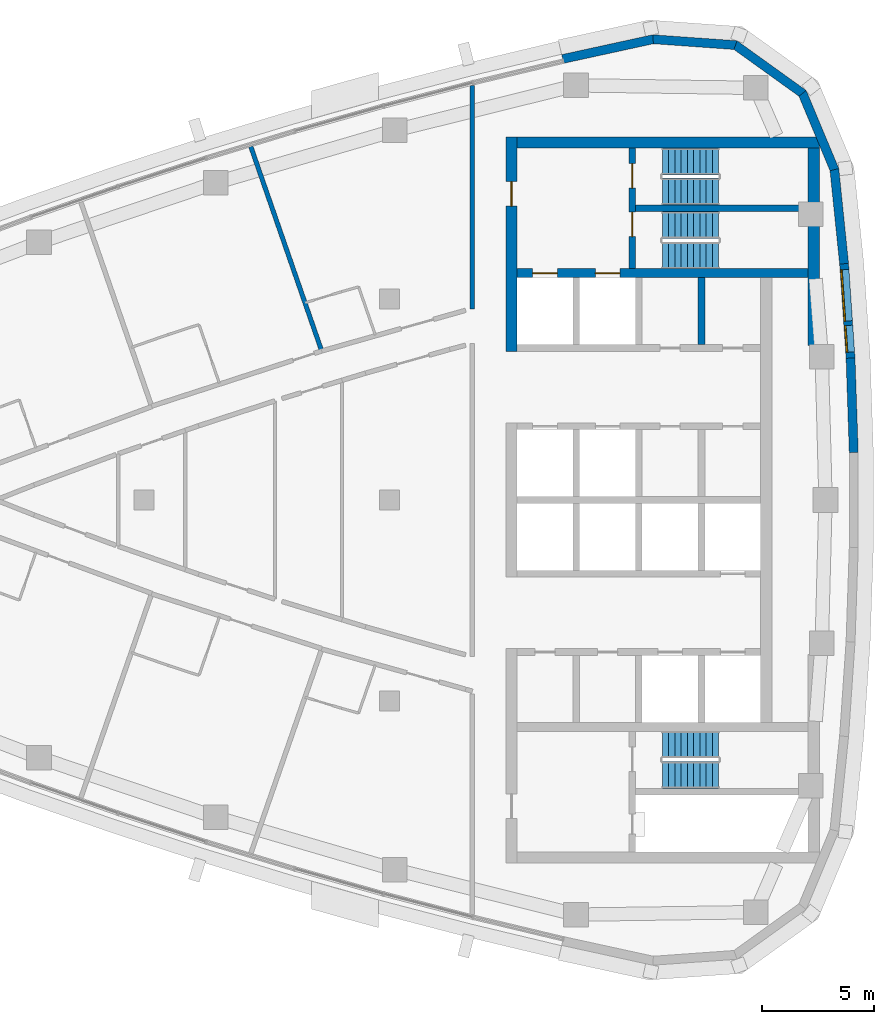
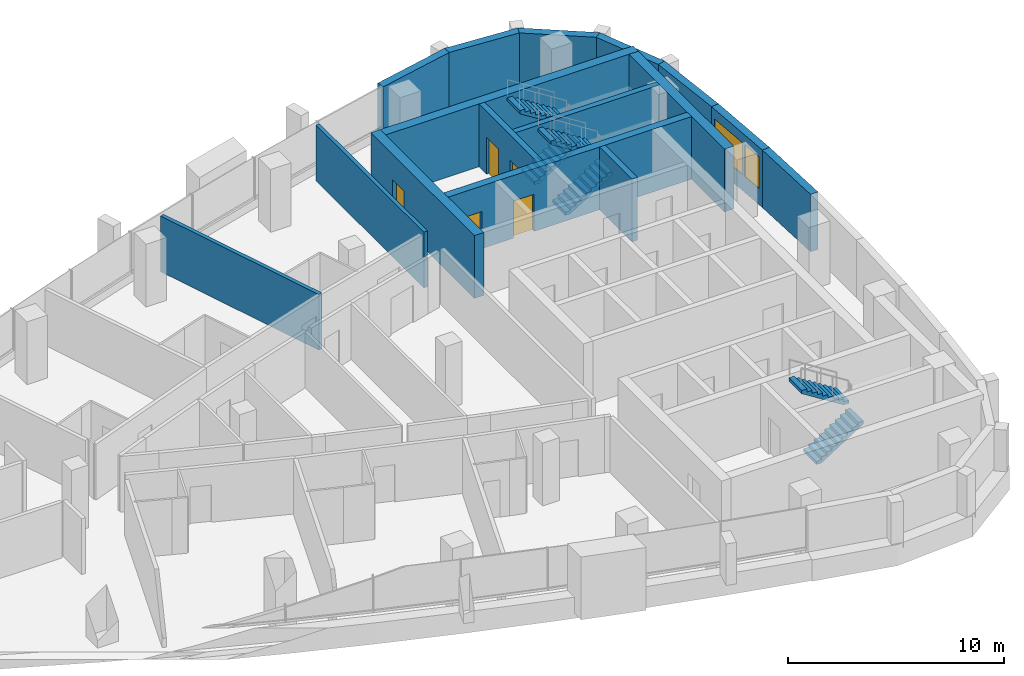
# One storey, part 10 of 14: 16 walls, 6 stair flights, 5 doors, 2 windows, 7 openings, 3 elements without a shape of their own.
"""IFC4 building model written with IfcOpenShell, lengths in metres."""

from ifc_helpers import new_model, si_unit, direction, frame, frame_2d, origin, place, context, subcontext, project, spatial, polyline, rectangle, outline, extrude, material, layer, layer_set, type_object, element, fill, aggregate, save


model = new_model("IFC4")

# Units and contexts
model_context = context("Model", 3, precision=1e-05, world=origin(), true_north=direction((0.0, 1.0)))
body_context = subcontext(model_context, "Body", "Model", "MODEL_VIEW")
ifc_project = project(units=[si_unit("LENGTHUNIT", "METRE"), si_unit("AREAUNIT", "SQUARE_METRE"), si_unit("VOLUMEUNIT", "CUBIC_METRE"), si_unit("PLANEANGLEUNIT", "RADIAN"), si_unit("MASSUNIT", "GRAM", prefix="KILO")], contexts=[model_context])

# Site, building, storey
site_placement = place(None, origin())
site = spatial("IfcSite", under=ifc_project, at=site_placement, CompositionType="ELEMENT")
building_placement = place(site_placement, origin())
building = spatial("IfcBuilding", under=site, at=building_placement, Name="Ostrand Prow Hotel Tower", CompositionType="ELEMENT")
storey_placement = place(building_placement, frame((0.0, 0.0, 299.85009765625)))
storey = spatial("IfcBuildingStorey", under=building, at=storey_placement, Name="L76", CompositionType="ELEMENT", Elevation=299.85009765625)

# Wall
ifc_material_1 = material(Name="Concrete C50/60", Category="concrete")
ifc_layer_1 = layer(ifc_material_1, 0.300048828125)
ifc_layer_set_1 = layer_set([ifc_layer_1], Name="Concrete C50/60")
wall_type_1 = type_object("IfcWallType", Name="Core wall 300 C50/60", PredefinedType="SHEAR", material=ifc_layer_set_1)
wall_1_placement = place(storey_placement, frame((58.949951171875, 6.949951171875, 0.0), z_axis=(0.0, 0.0, 1.0), x_axis=(0.0, 1.0, 0.0)))
element("IfcWall", 1, at=wall_1_placement, inside=storey, type_object=wall_type_1, Name="Core wall PW-R3-NA", PredefinedType="SHEAR", context=body_context, shape_type="SweptSolid", body=[
    extrude(rectangle(XDim=3.0, YDim=0.300048828125, at=frame_2d((1.5, 0.0))), origin(), (0.0, 0.0, 1.0), 3.5498046875),
])

# Wall, openings, doors
wall_2_placement = place(storey_placement, frame((55.85009765625, 10.35009765625, 0.0), z_axis=(0.0, 0.0, 1.0), x_axis=(0.0, 1.0, 0.0)))
wall_2 = element("IfcWall", 2, at=wall_2_placement, inside=storey, type_object=wall_type_1, Name="Core wall PW-VN", PredefinedType="SHEAR", context=body_context, shape_type="SweptSolid", body=[
    extrude(rectangle(XDim=5.39990234375, YDim=0.300048828125, at=frame_2d((2.699951171875, 0.0))), origin(), (0.0, 0.0, 1.0), 3.5498046875),
])
opening_1_placement = place(wall_2_placement, frame((1.429931640625, 0.0, 0.0)))
opening_1 = element("IfcOpeningElement", 3, at=opening_1_placement, cuts=wall_2, Name="Opening FD1", PredefinedType="OPENING", context=body_context, shape_type="SweptSolid", body=[
    extrude(rectangle(XDim=1.10009765625, YDim=2.10009765625, at=frame_2d((0.550048828125, 1.050048828125))), frame((0.0, 0.159912109375, 0.0), z_axis=(0.0, -1.0, 0.0), x_axis=(1.0, 0.0, 0.0)), (0.0, 0.0, 1.0), 0.320068359375),
])
opening_2_placement = place(wall_2_placement, frame((3.60009765625, 0.0, 0.0)))
opening_2 = element("IfcOpeningElement", 4, at=opening_2_placement, cuts=wall_2, Name="Opening FD1", PredefinedType="OPENING", context=body_context, shape_type="SweptSolid", body=[
    extrude(rectangle(XDim=1.10009765625, YDim=2.10009765625, at=frame_2d((0.550048828125, 1.050048828125))), frame((0.0, 0.159912109375, 0.0), z_axis=(0.0, -1.0, 0.0), x_axis=(1.0, 0.0, 0.0)), (0.0, 0.0, 1.0), 0.320068359375),
])
ifc_material_2 = material(Name="Steel fire door", Category="steel")
door_type_1 = type_object("IfcDoorType", Name="Fire door 1100 EI120", OperationType="SINGLE_SWING_RIGHT", PredefinedType="DOOR", material=ifc_material_2)
door_1_placement = place(opening_1_placement, origin())
door_1 = element("IfcDoor", 5, at=door_1_placement, inside=storey, type_object=door_type_1, Name="FIRE DOOR", OperationType="SINGLE_SWING_RIGHT", OverallHeight=2.10009765625, OverallWidth=1.10009765625, PredefinedType="DOOR", context=body_context, shape_type="SweptSolid", body=[
    extrude(rectangle(XDim=1.10009765625, YDim=2.10009765625, at=frame_2d((0.550048828125, 1.050048828125))), frame((0.0, 0.02490234375, 0.0), z_axis=(0.0, -1.0, 0.0), x_axis=(1.0, 0.0, 0.0)), (0.0, 0.0, 1.0), 0.050048828125),
])
fill(opening_1, door_1)
door_2_placement = place(opening_2_placement, origin())
door_2 = element("IfcDoor", 6, at=door_2_placement, inside=storey, type_object=door_type_1, Name="FIRE DOOR", OperationType="SINGLE_SWING_RIGHT", OverallHeight=2.10009765625, OverallWidth=1.10009765625, PredefinedType="DOOR", context=body_context, shape_type="SweptSolid", body=[
    extrude(rectangle(XDim=1.10009765625, YDim=2.10009765625, at=frame_2d((0.550048828125, 1.050048828125))), frame((0.0, 0.02490234375, 0.0), z_axis=(0.0, -1.0, 0.0), x_axis=(1.0, 0.0, 0.0)), (0.0, 0.0, 1.0), 0.050048828125),
])
fill(opening_2, door_2)

# Wall
wall_3_placement = place(storey_placement, frame((56.0, 13.050048828125, 0.0), z_axis=(0.0, 0.0, 1.0), x_axis=(1.0, 0.0, 0.0)))
element("IfcWall", 7, at=wall_3_placement, inside=storey, type_object=wall_type_1, Name="Core wall PW-ST13", PredefinedType="SHEAR", context=body_context, shape_type="SweptSolid", body=[
    extrude(rectangle(XDim=7.719970703125, YDim=0.300048828125, at=frame_2d((3.85986328125, 0.0))), origin(), (0.0, 0.0, 1.0), 3.5498046875),
])

# Wall, openings, doors
ifc_material_3 = material(Name="Concrete C50/60", Category="concrete")
ifc_layer_2 = layer(ifc_material_3, 0.39990234375)
ifc_layer_set_2 = layer_set([ifc_layer_2], Name="Concrete C50/60")
wall_type_2 = type_object("IfcWallType", Name="Core wall 400 C50/60", PredefinedType="SHEAR", material=ifc_layer_set_2)
wall_4_placement = place(storey_placement, frame((50.699951171875, 10.14990234375, 0.0), z_axis=(0.0, 0.0, 1.0), x_axis=(1.0, 0.0, 0.0)))
wall_4 = element("IfcWall", 8, at=wall_4_placement, inside=storey, type_object=wall_type_2, Name="Core wall PW-BN", PredefinedType="SHEAR", context=body_context, shape_type="SweptSolid", body=[
    extrude(rectangle(XDim=13.02001953125, YDim=0.39990234375, at=frame_2d((6.510009765625, 0.0))), origin(), (0.0, 0.0, 1.0), 3.5498046875),
])
opening_3_placement = place(wall_4_placement, frame((0.699951171875, 0.0, 0.0)))
opening_3 = element("IfcOpeningElement", 9, at=opening_3_placement, cuts=wall_4, Name="Opening LD", PredefinedType="OPENING", context=body_context, shape_type="SweptSolid", body=[
    extrude(rectangle(XDim=1.10009765625, YDim=2.10009765625, at=frame_2d((0.550048828125, 1.050048828125))), frame((0.0, 0.2099609375, 0.0), z_axis=(0.0, -1.0, 0.0), x_axis=(1.0, 0.0, 0.0)), (0.0, 0.0, 1.0), 0.419921875),
])
opening_4_placement = place(wall_4_placement, frame((3.5, 0.0, 0.0)))
opening_4 = element("IfcOpeningElement", 10, at=opening_4_placement, cuts=wall_4, Name="Opening LD", PredefinedType="OPENING", context=body_context, shape_type="SweptSolid", body=[
    extrude(rectangle(XDim=1.10009765625, YDim=2.10009765625, at=frame_2d((0.550048828125, 1.050048828125))), frame((0.0, 0.2099609375, 0.0), z_axis=(0.0, -1.0, 0.0), x_axis=(1.0, 0.0, 0.0)), (0.0, 0.0, 1.0), 0.419921875),
])
ifc_material_4 = material(Name="Stainless steel door", Category="steel")
door_type_2 = type_object("IfcDoorType", Name="Lift landing door 1100", OperationType="DOUBLE_DOOR_SLIDING", PredefinedType="DOOR", material=ifc_material_4)
door_3_placement = place(opening_3_placement, origin())
door_3 = element("IfcDoor", 11, at=door_3_placement, inside=storey, type_object=door_type_2, Name="LIFT LANDING DOOR", OperationType="DOUBLE_DOOR_SLIDING", OverallHeight=2.10009765625, OverallWidth=1.10009765625, PredefinedType="DOOR", context=body_context, shape_type="SweptSolid", body=[
    extrude(rectangle(XDim=1.10009765625, YDim=2.10009765625, at=frame_2d((0.550048828125, 1.050048828125))), frame((0.0, 0.02490234375, 0.0), z_axis=(0.0, -1.0, 0.0), x_axis=(1.0, 0.0, 0.0)), (0.0, 0.0, 1.0), 0.050048828125),
])
fill(opening_3, door_3)
door_4_placement = place(opening_4_placement, origin())
door_4 = element("IfcDoor", 12, at=door_4_placement, inside=storey, type_object=door_type_2, Name="LIFT LANDING DOOR", OperationType="DOUBLE_DOOR_SLIDING", OverallHeight=2.10009765625, OverallWidth=1.10009765625, PredefinedType="DOOR", context=body_context, shape_type="SweptSolid", body=[
    extrude(rectangle(XDim=1.10009765625, YDim=2.10009765625, at=frame_2d((0.550048828125, 1.050048828125))), frame((0.0, 0.02490234375, 0.0), z_axis=(0.0, -1.0, 0.0), x_axis=(1.0, 0.0, 0.0)), (0.0, 0.0, 1.0), 0.050048828125),
])
fill(opening_4, door_4)

# Wall, opening, door
ifc_material_5 = material(Name="Concrete C50/60", Category="concrete")
ifc_layer_3 = layer(ifc_material_5, 0.5)
ifc_layer_set_3 = layer_set([ifc_layer_3], Name="Concrete C50/60")
wall_type_3 = type_object("IfcWallType", Name="Core wall 500 C50/60", PredefinedType="SHEAR", material=ifc_layer_set_3)
wall_5_placement = place(storey_placement, frame((50.449951171875, 6.64990234375, 0.0), z_axis=(0.0, 0.0, 1.0), x_axis=(0.0, 1.0, 0.0)))
wall_5 = element("IfcWall", 13, at=wall_5_placement, inside=storey, type_object=wall_type_3, Name="Core wall CW-W-N", PredefinedType="SHEAR", context=body_context, shape_type="SweptSolid", body=[
    extrude(rectangle(XDim=9.60009765625, YDim=0.5, at=frame_2d((4.800048828125, 0.0))), origin(), (0.0, 0.0, 1.0), 3.5498046875),
])
opening_5_placement = place(wall_5_placement, frame((6.5, 0.0, 0.0)))
opening_5 = element("IfcOpeningElement", 14, at=opening_5_placement, cuts=wall_5, Name="Opening FD1", PredefinedType="OPENING", context=body_context, shape_type="SweptSolid", body=[
    extrude(rectangle(XDim=1.10009765625, YDim=2.10009765625, at=frame_2d((0.550048828125, 1.050048828125))), frame((0.0, 0.260009765625, 0.0), z_axis=(0.0, -1.0, 0.0), x_axis=(1.0, 0.0, 0.0)), (0.0, 0.0, 1.0), 0.52001953125),
])
door_5_placement = place(opening_5_placement, origin())
door_5 = element("IfcDoor", 15, at=door_5_placement, inside=storey, type_object=door_type_1, Name="FIRE DOOR", OperationType="SINGLE_SWING_RIGHT", OverallHeight=2.10009765625, OverallWidth=1.10009765625, PredefinedType="DOOR", context=body_context, shape_type="SweptSolid", body=[
    extrude(rectangle(XDim=1.10009765625, YDim=2.10009765625, at=frame_2d((0.550048828125, 1.050048828125))), frame((0.0, 0.02490234375, 0.0), z_axis=(0.0, -1.0, 0.0), x_axis=(1.0, 0.0, 0.0)), (0.0, 0.0, 1.0), 0.050048828125),
])
fill(opening_5, door_5)

# Walls
wall_6_placement = place(storey_placement, frame((50.699951171875, 16.0, 0.0), z_axis=(0.0, 0.0, 1.0), x_axis=(1.0, 0.0, 0.0)))
element("IfcWall", 16, at=wall_6_placement, inside=storey, type_object=wall_type_3, Name="Core wall CW-N", PredefinedType="SHEAR", context=body_context, shape_type="SweptSolid", body=[
    extrude(rectangle(XDim=13.52001953125, YDim=0.5, at=frame_2d((6.760009765625, 0.0))), origin(), (0.0, 0.0, 1.0), 3.5498046875),
])
wall_7_placement = place(storey_placement, frame((63.969970703125, 6.9033203125, 0.0), z_axis=(0.0, 0.0, 1.0), x_axis=(0.0, 1.0, 0.0)))
element("IfcWall", 17, at=wall_7_placement, inside=storey, type_object=wall_type_3, Name="Core wall CW-E-N", PredefinedType="SHEAR", context=body_context, shape_type="SweptSolid", body=[
    extrude(rectangle(XDim=8.8466796875, YDim=0.5, at=frame_2d((4.42333984375, 0.0))), origin(), (0.0, 0.0, 1.0), 3.5498046875),
])
ifc_material_6 = material(Name="Plasterboard partition")
ifc_layer_4 = layer(ifc_material_6, 0.199951171875)
ifc_layer_set_4 = layer_set([ifc_layer_4], Name="Plasterboard partition")
wall_type_4 = type_object("IfcWallType", Name="Partition 200 corridor wall", PredefinedType="PARTITIONING", material=ifc_layer_set_4)
wall_8_placement = place(storey_placement, frame((48.695068359375, 18.552978515625, 0.0), z_axis=(0.0, 0.0, 1.0), x_axis=(0.0, -1.0, 0.0)))
element("IfcWall", 18, at=wall_8_placement, inside=storey, type_object=wall_type_4, Name="CORRIDOR WALL", PredefinedType="PARTITIONING", context=body_context, shape_type="SweptSolid", body=[
    extrude(rectangle(XDim=9.99658203125, YDim=0.199951171875, at=frame_2d((4.998291015625, 0.0))), origin(), (0.0, 0.0, 1.0), 3.14990234375),
])
ifc_material_7 = material(Name="Plasterboard partition")
ifc_layer_5 = layer(ifc_material_7, 0.199951171875)
ifc_layer_set_5 = layer_set([ifc_layer_5], Name="Plasterboard partition")
wall_type_5 = type_object("IfcWallType", Name="Partition 200 key partition", PredefinedType="PARTITIONING", material=ifc_layer_set_5)
wall_9_placement = place(storey_placement, frame((41.965087890625, 6.6484375, 0.0), z_axis=(0.0, 0.0, 1.0), x_axis=(-0.327710853631, 0.944778067279, 0.0)))
element("IfcWall", 19, at=wall_9_placement, inside=storey, type_object=wall_type_5, Name="KEY PARTITION", PredefinedType="PARTITIONING", context=body_context, shape_type="SweptSolid", body=[
    extrude(rectangle(XDim=9.707275390625, YDim=0.199951171875, at=frame_2d((4.853515625, 0.0))), origin(), (0.0, 0.0, 1.0), 3.14990234375),
])
ifc_material_8 = material(Name="Precast concrete C40/50", Category="concrete")
ifc_layer_6 = layer(ifc_material_8, 0.39990234375)
ifc_layer_set_6 = layer_set([ifc_layer_6], Name="Precast concrete C40/50")
wall_type_6 = type_object("IfcWallType", Name="Stone-faced precast wall 400 mm", PredefinedType="NOTDEFINED", material=ifc_layer_set_6)
wall_10_placement = place(storey_placement, frame((65.764404296875, 2.11669921875, 0.0), z_axis=(0.0, 0.0, 1.0), x_axis=(-0.034082898699, 0.999419009233, 0.0)))
element("IfcWall", 20, at=wall_10_placement, inside=storey, type_object=wall_type_6, Name="Stone-faced wall back 9", PredefinedType="NOTDEFINED", context=body_context, shape_type="SweptSolid", body=[
    extrude(outline(polyline([(-0.00341796875, -0.199951171875), (4.23681640625, -0.199951171875), (4.22998046875, 0.199951171875), (0.00341796875, 0.199951171875), (-0.00341796875, -0.199951171875)])), origin(), (0.0, 0.0, 1.0), 3.25),
])

# Wall, openings, windows
wall_11_placement = place(storey_placement, frame((65.6201171875, 6.34765625, 0.0), z_axis=(0.0, 0.0, 1.0), x_axis=(-0.068279584479, 0.997666225921, 0.0)))
wall_11 = element("IfcWall", 21, at=wall_11_placement, inside=storey, type_object=wall_type_6, Name="Stone-faced wall back 10", PredefinedType="NOTDEFINED", context=body_context, shape_type="SweptSolid", body=[
    extrude(outline(polyline([(-0.00341796875, -0.199951171875), (4.23681640625, -0.199951171875), (4.22998046875, 0.199951171875), (0.00341796875, 0.199951171875), (-0.00341796875, -0.199951171875)])), origin(), (0.0, 0.0, 1.0), 3.25),
])
opening_6_placement = place(wall_11_placement, frame((0.2666015625, 0.0, 0.89990234375)))
opening_6 = element("IfcOpeningElement", 22, at=opening_6_placement, cuts=wall_11, Name="Opening WS4", PredefinedType="OPENING", context=body_context, shape_type="SweptSolid", body=[
    extrude(rectangle(XDim=1.199951171875, YDim=1.800048828125, at=frame_2d((0.60009765625, 0.89990234375))), frame((0.0, 0.2099609375, 0.0), z_axis=(0.0, -1.0, 0.0), x_axis=(1.0, 0.0, 0.0)), (0.0, 0.0, 1.0), 0.419921875),
])
opening_7_placement = place(wall_11_placement, frame((1.666748046875, 0.0, 0.89990234375)))
opening_7 = element("IfcOpeningElement", 23, at=opening_7_placement, cuts=wall_11, Name="Opening WS5-23", PredefinedType="OPENING", context=body_context, shape_type="SweptSolid", body=[
    extrude(rectangle(XDim=2.300048828125, YDim=1.800048828125, at=frame_2d((1.14990234375, 0.89990234375))), frame((0.0, 0.2099609375, 0.0), z_axis=(0.0, -1.0, 0.0), x_axis=(1.0, 0.0, 0.0)), (0.0, 0.0, 1.0), 0.419921875),
])
ifc_material_9 = material(Name="Insulated glass in bronze frame", Category="glass")
window_type_1 = type_object("IfcWindowType", Name="Fixed strip window 2300x1800", PartitioningType="SINGLE_PANEL", PredefinedType="WINDOW", material=ifc_material_9)
window_1_placement = place(opening_7_placement, origin())
window_1 = element("IfcWindow", 24, at=window_1_placement, inside=storey, type_object=window_type_1, Name="Window back 10.2", OverallHeight=1.800048828125, OverallWidth=2.300048828125, PartitioningType="SINGLE_PANEL", PredefinedType="WINDOW", context=body_context, shape_type="SweptSolid", body=[
    extrude(rectangle(XDim=2.300048828125, YDim=1.800048828125, at=frame_2d((1.14990234375, 0.89990234375))), frame((0.0, 0.169921875, 0.0), z_axis=(0.0, -1.0, 0.0), x_axis=(1.0, 0.0, 0.0)), (0.0, 0.0, 1.0), 0.06005859375),
])
fill(opening_7, window_1)
ifc_material_10 = material(Name="Insulated glass in bronze frame", Category="glass")
window_type_2 = type_object("IfcWindowType", Name="Operable strip panel 1200x1800", PartitioningType="SINGLE_PANEL", PredefinedType="WINDOW", material=ifc_material_10)
window_2_placement = place(opening_6_placement, origin())
window_2 = element("IfcWindow", 25, at=window_2_placement, inside=storey, type_object=window_type_2, Name="Window back 10.1", OverallHeight=1.800048828125, OverallWidth=1.199951171875, PartitioningType="SINGLE_PANEL", PredefinedType="WINDOW", context=body_context, shape_type="SweptSolid", body=[
    extrude(rectangle(XDim=1.199951171875, YDim=1.800048828125, at=frame_2d((0.60009765625, 0.89990234375))), frame((0.0, 0.169921875, 0.0), z_axis=(0.0, -1.0, 0.0), x_axis=(1.0, 0.0, 0.0)), (0.0, 0.0, 1.0), 0.06005859375),
])
fill(opening_6, window_2)

# Walls
wall_12_placement = place(storey_placement, frame((65.3310546875, 10.5712890625, 0.0), z_axis=(0.0, 0.0, 1.0), x_axis=(-0.102249826987, 0.994758751096, 0.0)))
element("IfcWall", 26, at=wall_12_placement, inside=storey, type_object=wall_type_6, Name="Stone-faced wall back 11", PredefinedType="NOTDEFINED", context=body_context, shape_type="SweptSolid", body=[
    extrude(outline(polyline([(-0.00341796875, -0.199951171875), (4.262939453125, -0.199951171875), (4.203857421875, 0.199951171875), (0.00341796875, 0.199951171875), (-0.00341796875, -0.199951171875)])), origin(), (0.0, 0.0, 1.0), 3.25),
])
wall_13_placement = place(storey_placement, frame((64.898193359375, 14.782470703125, 0.0), z_axis=(0.0, 0.0, 1.0), x_axis=(-0.385285857918, 0.922797273343, 0.0)))
element("IfcWall", 27, at=wall_13_placement, inside=storey, type_object=wall_type_6, Name="Stone-faced wall back 12", PredefinedType="NOTDEFINED", context=body_context, shape_type="SweptSolid", body=[
    extrude(outline(polyline([(-0.029541015625, -0.199951171875), (3.75341796875, -0.199951171875), (3.64013671875, 0.199951171875), (0.029541015625, 0.199951171875), (-0.029541015625, -0.199951171875)])), origin(), (0.0, 0.0, 1.0), 3.25),
])
wall_14_placement = place(storey_placement, frame((63.473876953125, 18.19384765625, 0.0), z_axis=(0.0, 0.0, 1.0), x_axis=(-0.811962548682, 0.583709533533, 0.0)))
element("IfcWall", 28, at=wall_14_placement, inside=storey, type_object=wall_type_6, Name="Stone-faced wall back 13", PredefinedType="NOTDEFINED", context=body_context, shape_type="SweptSolid", body=[
    extrude(outline(polyline([(-0.056640625, -0.199951171875), (3.753173828125, -0.199951171875), (3.639892578125, 0.199951171875), (0.056640625, 0.199951171875), (-0.056640625, -0.199951171875)])), origin(), (0.0, 0.0, 1.0), 3.25),
])
wall_15_placement = place(storey_placement, frame((60.472412109375, 20.3515625, 0.0), z_axis=(0.0, 0.0, 1.0), x_axis=(-0.99746272096, 0.071190731806, 0.0)))
element("IfcWall", 29, at=wall_15_placement, inside=storey, type_object=wall_type_6, Name="Stone-faced wall back 14", PredefinedType="NOTDEFINED", context=body_context, shape_type="SweptSolid", body=[
    extrude(outline(polyline([(-0.056640625, -0.199951171875), (3.7255859375, -0.199951171875), (3.66796875, 0.199951171875), (0.056640625, 0.199951171875), (-0.056640625, -0.199951171875)])), origin(), (0.0, 0.0, 1.0), 3.25),
])
wall_16_placement = place(storey_placement, frame((56.784912109375, 20.61474609375, 0.0), z_axis=(0.0, 0.0, 1.0), x_axis=(-0.977020225348, -0.213146614471, 0.0)))
element("IfcWall", 30, at=wall_16_placement, inside=storey, type_object=wall_type_6, Name="Stone-faced wall back 15", PredefinedType="NOTDEFINED", context=body_context, shape_type="SweptSolid", body=[
    extrude(outline(polyline([(-0.02880859375, -0.199951171875), (4.141845703125, -0.199951171875), (4.141845703125, 0.199951171875), (0.02880859375, 0.199951171875), (-0.02880859375, -0.199951171875)])), origin(), (0.0, 0.0, 1.0), 3.25),
])

# Stair, stair flights
ifc_material_11 = material(Name="Concrete C40/50", Category="concrete")
stair_type = type_object("IfcStairType", Name="Exit stair 1200 upper zone", PredefinedType="HALF_TURN_STAIR", material=ifc_material_11)
stair_1_placement = place(storey_placement, origin())
stair_1 = element("IfcStair", 31, at=stair_1_placement, inside=storey, type_object=stair_type, Name="L76 ST1C", PredefinedType="HALF_TURN_STAIR")
ifc_material_12 = material(Name="Concrete C40/50", Category="concrete")
stair_flight_type = type_object("IfcStairFlightType", Name="Stair flight 1200 concrete", PredefinedType="STRAIGHT", material=ifc_material_12)
stair_flight_1_placement = place(storey_placement, frame((57.199951171875, 10.949951171875, 0.0), z_axis=(0.0, 0.0, 1.0), x_axis=(1.0, 0.0, 0.0)))
stair_flight_1 = element("IfcStairFlight", 32, at=stair_flight_1_placement, type_object=stair_flight_type, Name="ST1C flight 1", NumberOfRisers=10, NumberOfTreads=9, PredefinedType="STRAIGHT", RiserHeight=0.1775, TreadLength=0.28, context=body_context, shape_type="SweptSolid", body=[
    extrude(outline(polyline([(0.0, 0.0), (0.0, 0.177490234375), (0.280029296875, 0.177490234375), (0.280029296875, 0.35498046875), (0.56005859375, 0.35498046875), (0.56005859375, 0.532470703125), (0.840087890625, 0.532470703125), (0.840087890625, 0.7099609375), (1.1201171875, 0.7099609375), (1.1201171875, 0.887451171875), (1.39990234375, 0.887451171875), (1.39990234375, 1.06494140625), (1.679931640625, 1.06494140625), (1.679931640625, 1.242431640625), (1.9599609375, 1.242431640625), (1.9599609375, 1.419921875), (2.239990234375, 1.419921875), (2.239990234375, 1.597412109375), (2.52001953125, 1.597412109375), (2.52001953125, 1.77490234375), (2.52001953125, 1.419921875), (0.280029296875, 0.0), (0.0, 0.0)])), frame((0.0, 0.60009765625, 0.0), z_axis=(0.0, -1.0, 0.0), x_axis=(1.0, 0.0, 0.0)), (0.0, 0.0, 1.0), 1.199951171875),
])
stair_flight_2_placement = place(storey_placement, frame((59.719970703125, 12.300048828125, 1.77490234375), z_axis=(0.0, 0.0, 1.0), x_axis=(-1.0, 0.0, 0.0)))
stair_flight_2 = element("IfcStairFlight", 33, at=stair_flight_2_placement, type_object=stair_flight_type, Name="ST1C flight 2", NumberOfRisers=10, NumberOfTreads=9, PredefinedType="STRAIGHT", RiserHeight=0.1775, TreadLength=0.28, context=body_context, shape_type="SweptSolid", body=[
    extrude(outline(polyline([(0.0, 0.0), (0.0, 0.177490234375), (0.280029296875, 0.177490234375), (0.280029296875, 0.35498046875), (0.56005859375, 0.35498046875), (0.56005859375, 0.532470703125), (0.840087890625, 0.532470703125), (0.840087890625, 0.7099609375), (1.1201171875, 0.7099609375), (1.1201171875, 0.887451171875), (1.39990234375, 0.887451171875), (1.39990234375, 1.06494140625), (1.679931640625, 1.06494140625), (1.679931640625, 1.242431640625), (1.9599609375, 1.242431640625), (1.9599609375, 1.419921875), (2.239990234375, 1.419921875), (2.239990234375, 1.597412109375), (2.52001953125, 1.597412109375), (2.52001953125, 1.77490234375), (2.52001953125, 1.419921875), (0.280029296875, 0.0), (0.0, 0.0)])), frame((0.0, 0.60009765625, 0.0), z_axis=(0.0, -1.0, 0.0), x_axis=(1.0, 0.0, 0.0)), (0.0, 0.0, 1.0), 1.199951171875),
])
aggregate(stair_1, [stair_flight_1, stair_flight_2])

stair_2_placement = place(storey_placement, origin())
stair_2 = element("IfcStair", 34, at=stair_2_placement, inside=storey, type_object=stair_type, Name="L76 ST3C", PredefinedType="HALF_TURN_STAIR")
stair_flight_3_placement = place(storey_placement, frame((57.199951171875, 13.800048828125, 0.0), z_axis=(0.0, 0.0, 1.0), x_axis=(1.0, 0.0, 0.0)))
stair_flight_3 = element("IfcStairFlight", 35, at=stair_flight_3_placement, type_object=stair_flight_type, Name="ST3C flight 1", NumberOfRisers=10, NumberOfTreads=9, PredefinedType="STRAIGHT", RiserHeight=0.1775, TreadLength=0.28, context=body_context, shape_type="SweptSolid", body=[
    extrude(outline(polyline([(0.0, 0.0), (0.0, 0.177490234375), (0.280029296875, 0.177490234375), (0.280029296875, 0.35498046875), (0.56005859375, 0.35498046875), (0.56005859375, 0.532470703125), (0.840087890625, 0.532470703125), (0.840087890625, 0.7099609375), (1.1201171875, 0.7099609375), (1.1201171875, 0.887451171875), (1.39990234375, 0.887451171875), (1.39990234375, 1.06494140625), (1.679931640625, 1.06494140625), (1.679931640625, 1.242431640625), (1.9599609375, 1.242431640625), (1.9599609375, 1.419921875), (2.239990234375, 1.419921875), (2.239990234375, 1.597412109375), (2.52001953125, 1.597412109375), (2.52001953125, 1.77490234375), (2.52001953125, 1.419921875), (0.280029296875, 0.0), (0.0, 0.0)])), frame((0.0, 0.60009765625, 0.0), z_axis=(0.0, -1.0, 0.0), x_axis=(1.0, 0.0, 0.0)), (0.0, 0.0, 1.0), 1.199951171875),
])
stair_flight_4_placement = place(storey_placement, frame((59.719970703125, 15.14990234375, 1.77490234375), z_axis=(0.0, 0.0, 1.0), x_axis=(-1.0, 0.0, 0.0)))
stair_flight_4 = element("IfcStairFlight", 36, at=stair_flight_4_placement, type_object=stair_flight_type, Name="ST3C flight 2", NumberOfRisers=10, NumberOfTreads=9, PredefinedType="STRAIGHT", RiserHeight=0.1775, TreadLength=0.28, context=body_context, shape_type="SweptSolid", body=[
    extrude(outline(polyline([(0.0, 0.0), (0.0, 0.177490234375), (0.280029296875, 0.177490234375), (0.280029296875, 0.35498046875), (0.56005859375, 0.35498046875), (0.56005859375, 0.532470703125), (0.840087890625, 0.532470703125), (0.840087890625, 0.7099609375), (1.1201171875, 0.7099609375), (1.1201171875, 0.887451171875), (1.39990234375, 0.887451171875), (1.39990234375, 1.06494140625), (1.679931640625, 1.06494140625), (1.679931640625, 1.242431640625), (1.9599609375, 1.242431640625), (1.9599609375, 1.419921875), (2.239990234375, 1.419921875), (2.239990234375, 1.597412109375), (2.52001953125, 1.597412109375), (2.52001953125, 1.77490234375), (2.52001953125, 1.419921875), (0.280029296875, 0.0), (0.0, 0.0)])), frame((0.0, 0.60009765625, 0.0), z_axis=(0.0, -1.0, 0.0), x_axis=(1.0, 0.0, 0.0)), (0.0, 0.0, 1.0), 1.199951171875),
])
aggregate(stair_2, [stair_flight_3, stair_flight_4])

stair_3_placement = place(storey_placement, origin())
stair_3 = element("IfcStair", 37, at=stair_3_placement, inside=storey, type_object=stair_type, Name="L76 ST2C", PredefinedType="HALF_TURN_STAIR")
stair_flight_5_placement = place(storey_placement, frame((57.199951171875, -12.300048828125, 0.0), z_axis=(0.0, 0.0, 1.0), x_axis=(1.0, 0.0, 0.0)))
stair_flight_5 = element("IfcStairFlight", 38, at=stair_flight_5_placement, type_object=stair_flight_type, Name="ST2C flight 1", NumberOfRisers=10, NumberOfTreads=9, PredefinedType="STRAIGHT", RiserHeight=0.1775, TreadLength=0.28, context=body_context, shape_type="SweptSolid", body=[
    extrude(outline(polyline([(0.0, 0.0), (0.0, 0.177490234375), (0.280029296875, 0.177490234375), (0.280029296875, 0.35498046875), (0.56005859375, 0.35498046875), (0.56005859375, 0.532470703125), (0.840087890625, 0.532470703125), (0.840087890625, 0.7099609375), (1.1201171875, 0.7099609375), (1.1201171875, 0.887451171875), (1.39990234375, 0.887451171875), (1.39990234375, 1.06494140625), (1.679931640625, 1.06494140625), (1.679931640625, 1.242431640625), (1.9599609375, 1.242431640625), (1.9599609375, 1.419921875), (2.239990234375, 1.419921875), (2.239990234375, 1.597412109375), (2.52001953125, 1.597412109375), (2.52001953125, 1.77490234375), (2.52001953125, 1.419921875), (0.280029296875, 0.0), (0.0, 0.0)])), frame((0.0, 0.60009765625, 0.0), z_axis=(0.0, -1.0, 0.0), x_axis=(1.0, 0.0, 0.0)), (0.0, 0.0, 1.0), 1.199951171875),
])
stair_flight_6_placement = place(storey_placement, frame((59.719970703125, -10.949951171875, 1.77490234375), z_axis=(0.0, 0.0, 1.0), x_axis=(-1.0, 0.0, 0.0)))
stair_flight_6 = element("IfcStairFlight", 39, at=stair_flight_6_placement, type_object=stair_flight_type, Name="ST2C flight 2", NumberOfRisers=10, NumberOfTreads=9, PredefinedType="STRAIGHT", RiserHeight=0.1775, TreadLength=0.28, context=body_context, shape_type="SweptSolid", body=[
    extrude(outline(polyline([(0.0, 0.0), (0.0, 0.177490234375), (0.280029296875, 0.177490234375), (0.280029296875, 0.35498046875), (0.56005859375, 0.35498046875), (0.56005859375, 0.532470703125), (0.840087890625, 0.532470703125), (0.840087890625, 0.7099609375), (1.1201171875, 0.7099609375), (1.1201171875, 0.887451171875), (1.39990234375, 0.887451171875), (1.39990234375, 1.06494140625), (1.679931640625, 1.06494140625), (1.679931640625, 1.242431640625), (1.9599609375, 1.242431640625), (1.9599609375, 1.419921875), (2.239990234375, 1.419921875), (2.239990234375, 1.597412109375), (2.52001953125, 1.597412109375), (2.52001953125, 1.77490234375), (2.52001953125, 1.419921875), (0.280029296875, 0.0), (0.0, 0.0)])), frame((0.0, 0.60009765625, 0.0), z_axis=(0.0, -1.0, 0.0), x_axis=(1.0, 0.0, 0.0)), (0.0, 0.0, 1.0), 1.199951171875),
])
aggregate(stair_3, [stair_flight_5, stair_flight_6])

save(model, "model.ifc")
